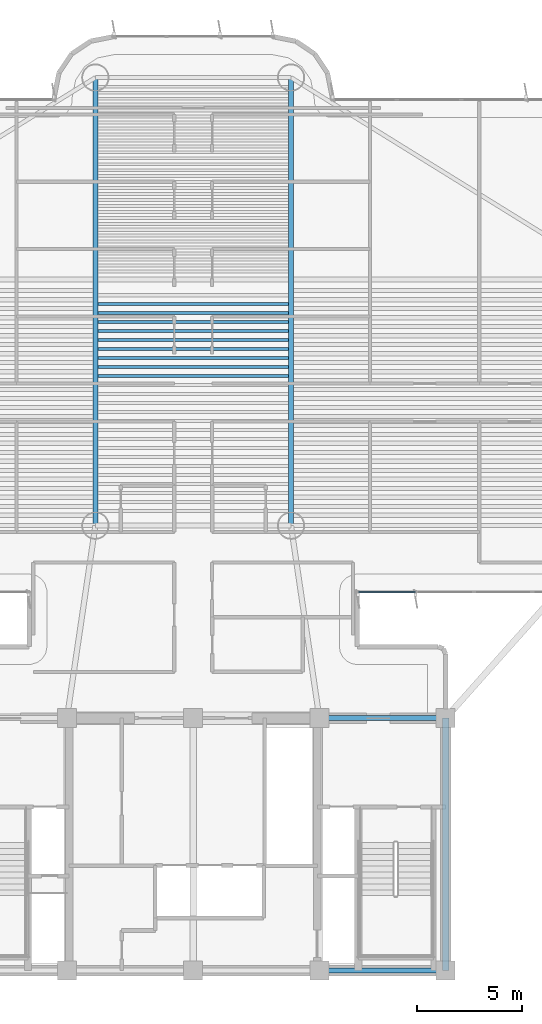
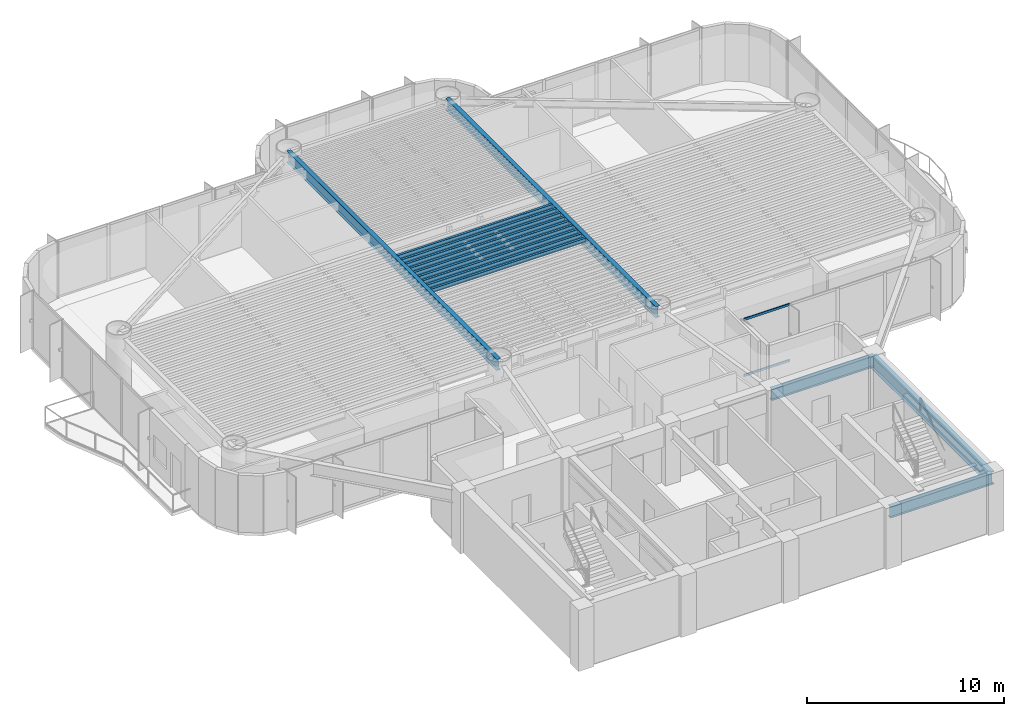
# One storey, part 3 of 16: 14 beams, 2 members, 1 element without a shape of its own.
"""IFC4 building model written with IfcOpenShell, lengths in metres."""

import ifcopenshell
import ifcopenshell.guid

model = None  # the IFC model being written
_history = None  # IfcOwnerHistory: only IFC2X3 demands one
_inside = {}  # id of a spatial element -> (the spatial element, [elements in it])
_under = {}  # id of a project, library or spatial element -> (it, [spatial elements below it])
_declared = {}  # id of a project -> (the project, [libraries it declares])
_typed = {}  # id of a type object -> (the type object, [elements of that type])
_made_of = {}  # id of a material, layer set ... -> (it, [elements and type objects made of it])


def new_model(schema):
    """Start an empty IFC model of exactly this schema.

    Asked for "IFC4X3", IfcOpenShell would pick the latest addendum, in which some entities
    have other attributes; the version numbers below select the first issue.
    IFC2X3 requires an IfcOwnerHistory on every rooted entity: one is made here for all.
    """
    global model, _history
    if schema == "IFC4X3":
        model = ifcopenshell.file(schema_version=(4, 3, 0, 0))
    else:
        model = ifcopenshell.file(schema=schema)
    _inside.clear()
    _under.clear()
    _declared.clear()
    _typed.clear()
    _made_of.clear()
    _history = None
    if model.schema == "IFC2X3":
        org = make("IfcOrganization", Name="unknown")
        user = make(
            "IfcPersonAndOrganization",
            ThePerson=make("IfcPerson", FamilyName="unknown"),
            TheOrganization=org,
        )
        app = make(
            "IfcApplication",
            ApplicationDeveloper=org,
            Version="unknown",
            ApplicationFullName="unknown",
            ApplicationIdentifier="unknown",
        )
        _history = make(
            "IfcOwnerHistory",
            OwningUser=user,
            OwningApplication=app,
            ChangeAction="ADDED",
            CreationDate=0,
        )
    return model


def make(cls, **values):
    """One entity of the class cls with the attributes given. An attribute that is None is left unset."""
    return model.create_entity(
        cls, **{name: value for name, value in values.items() if value is not None}
    )


def rooted(cls, **values):
    """An entity with a GlobalId (a new one), such as an element, a storey or a relation."""
    return make(cls, GlobalId=ifcopenshell.guid.new(), OwnerHistory=_history, **values)


def si_unit(unit_type, name, prefix=None):
    """IfcSIUnit, for example si_unit("LENGTHUNIT", "METRE", prefix="MILLI")."""
    return make("IfcSIUnit", UnitType=unit_type, Prefix=prefix, Name=name)


def assignment(units):
    """IfcUnitAssignment: the units of a project."""
    return None if units is None else make("IfcUnitAssignment", Units=units)


def point(xyz):
    """IfcCartesianPoint."""
    return None if xyz is None else make("IfcCartesianPoint", Coordinates=xyz)


def direction(xyz):
    """IfcDirection."""
    return None if xyz is None else make("IfcDirection", DirectionRatios=xyz)


def frame(location, z_axis=None, x_axis=None):
    """IfcAxis2Placement3D, a coordinate frame: its origin and axes. An axis left out is left unset."""
    return make(
        "IfcAxis2Placement3D",
        Location=point(location),
        Axis=direction(z_axis),
        RefDirection=direction(x_axis),
    )


def frame_2d(location, x_axis=None):
    """IfcAxis2Placement2D, a coordinate frame in the plane: its origin and x axis."""
    return make(
        "IfcAxis2Placement2D", Location=point(location), RefDirection=direction(x_axis)
    )


def origin():
    """The frame at (0, 0, 0) with its axes left unset."""
    return frame((0.0, 0.0, 0.0))


def origin_2d():
    """The frame at (0, 0) in the plane with its x axis left unset."""
    return frame_2d((0.0, 0.0))


def place(relative_to, where):
    """IfcLocalPlacement: puts the frame where relative to a parent placement (None: the world)."""
    return make(
        "IfcLocalPlacement", PlacementRelTo=relative_to, RelativePlacement=where
    )


def context(
    kind, dimensions, precision=None, world=None, true_north=None, identifier=None
):
    """IfcGeometricRepresentationContext, for example the 3D "Model" context."""
    return make(
        "IfcGeometricRepresentationContext",
        ContextIdentifier=identifier,
        ContextType=kind,
        CoordinateSpaceDimension=dimensions,
        Precision=precision,
        WorldCoordinateSystem=world,
        TrueNorth=true_north,
    )


def subcontext(parent, identifier, kind, view, scale=None):
    """IfcGeometricRepresentationSubContext, for example "Body" below "Model"."""
    return make(
        "IfcGeometricRepresentationSubContext",
        ContextIdentifier=identifier,
        ContextType=kind,
        ParentContext=parent,
        TargetScale=scale,
        TargetView=view,
    )


def project(units=None, contexts=None):
    """IfcProject with its units and contexts."""
    return rooted(
        "IfcProject",
        Name="project",
        RepresentationContexts=contexts,
        UnitsInContext=assignment(units),
    )


def spatial(cls, under=None, at=None, **own):
    """A site, building, storey or space (cls), placed at a placement, below another one or the project."""
    s = rooted(cls, ObjectPlacement=at, **own)
    if under is not None:
        _under.setdefault(under.id(), (under, []))[1].append(s)
    return s


def profile(cls, at=None, kind="AREA", **sizes):
    """A parametric profile (cls). Its sizes go by their IFC names, for example OverallWidth=200.0."""
    return make(cls, ProfileType=kind, Position=at, **sizes)


def rectangle(**sizes):
    """IfcRectangleProfileDef."""
    return profile("IfcRectangleProfileDef", **sizes)


def i_section(**sizes):
    """IfcIShapeProfileDef."""
    return profile("IfcIShapeProfileDef", **sizes)


def extrude(swept, where, along, depth):
    """IfcExtrudedAreaSolid: the profile swept, set in the frame where, extruded along a direction by depth."""
    return make(
        "IfcExtrudedAreaSolid",
        SweptArea=swept,
        Position=where,
        ExtrudedDirection=direction(along),
        Depth=depth,
    )


def shape(context_of_items, identifier, shape_type, items):
    """IfcShapeRepresentation: the items that make up one representation, for example the "Body"."""
    return make(
        "IfcShapeRepresentation",
        ContextOfItems=context_of_items,
        RepresentationIdentifier=identifier,
        RepresentationType=shape_type,
        Items=items,
    )


def source(mapping_origin, context_of_items, identifier, shape_type, items):
    """IfcRepresentationMap: a shape defined once, which mapped items show again and again."""
    return make(
        "IfcRepresentationMap",
        MappingOrigin=mapping_origin,
        MappedRepresentation=shape(context_of_items, identifier, shape_type, items),
    )


def transform(
    local_origin,
    x_axis=None,
    y_axis=None,
    z_axis=None,
    scale=None,
    scale2=None,
    scale3=None,
    uniform=True,
):
    """IfcCartesianTransformationOperator3D, or its non-uniform kind. x_axis, y_axis, z_axis: its Axis1, 2, 3."""
    if uniform:
        return make(
            "IfcCartesianTransformationOperator3D",
            Axis1=direction(x_axis),
            Axis2=direction(y_axis),
            LocalOrigin=point(local_origin),
            Scale=scale,
            Axis3=direction(z_axis),
        )
    return make(
        "IfcCartesianTransformationOperator3DnonUniform",
        Axis1=direction(x_axis),
        Axis2=direction(y_axis),
        LocalOrigin=point(local_origin),
        Scale=scale,
        Axis3=direction(z_axis),
        Scale2=scale2,
        Scale3=scale3,
    )


def mapped(mapping_source, mapping_target):
    """IfcMappedItem: shows the shape of a source again, moved by a transform."""
    return make(
        "IfcMappedItem", MappingSource=mapping_source, MappingTarget=mapping_target
    )


def material(Name=None, Category=None):
    """IfcMaterial."""
    return make("IfcMaterial", Name=Name, Category=Category)


def layer(
    of_material, thickness, ventilated=None, Name=None, Category=None, Priority=None
):
    """IfcMaterialLayer: one layer of a wall or slab, of a material (None: an air gap)."""
    return make(
        "IfcMaterialLayer",
        Material=of_material,
        LayerThickness=thickness,
        IsVentilated=ventilated,
        Name=Name,
        Category=Category,
        Priority=Priority,
    )


def layer_set(layers, Name=None):
    """IfcMaterialLayerSet."""
    return make("IfcMaterialLayerSet", MaterialLayers=layers, LayerSetName=Name)


def material_profile(
    of_material, cross_section, Name=None, Category=None, Priority=None
):
    """IfcMaterialProfile: a cross section and its material."""
    return make(
        "IfcMaterialProfile",
        Name=Name,
        Material=of_material,
        Profile=cross_section,
        Priority=Priority,
        Category=Category,
    )


def profile_set(profiles, Name=None, composite=None):
    """IfcMaterialProfileSet."""
    return make(
        "IfcMaterialProfileSet",
        Name=Name,
        MaterialProfiles=profiles,
        CompositeProfile=composite,
    )


def made_of(thing, what):
    """Note that an element or type object is made of a material, layer set ...; save() writes the relation."""
    if what is not None:
        _made_of.setdefault(what.id(), (what, []))[1].append(thing)
    return thing


def type_object(cls, material=None, **own):
    """A type object (cls), such as IfcWallType, which elements share."""
    return made_of(rooted(cls, **own), material)


def element(
    cls,
    number,
    at=None,
    inside=None,
    cuts=None,
    type_object=None,
    material=None,
    context=None,
    identifier="Body",
    shape_type=None,
    held_by="IfcProductDefinitionShape",
    body=None,
    shapes=None,
    **own,
):
    """One element of the class cls, such as IfcWall. Its Tag is "e" and its number.

    at: its placement. inside: the storey or other place that contains it. cuts: it is an
    opening in that element (IfcRelVoidsElement). A single representation is given by context,
    identifier, shape_type and body (its items); several are given by shapes. held_by: the class
    of the entity that holds the representations. save() writes the other relations.
    """
    e = rooted(cls, Tag="e%d" % number, ObjectPlacement=at, **own)
    if body is not None:
        shapes = [shape(context, identifier, shape_type, body)]
    if shapes is not None:
        e.Representation = make(held_by, Representations=shapes)
    if inside is not None:
        _inside.setdefault(inside.id(), (inside, []))[1].append(e)
    if cuts is not None:
        rooted(
            "IfcRelVoidsElement", RelatingBuildingElement=cuts, RelatedOpeningElement=e
        )
    if type_object is not None:
        _typed.setdefault(type_object.id(), (type_object, []))[1].append(e)
    return made_of(e, material)


def aggregate(whole, parts):
    """IfcRelAggregates: a whole, such as a stair, and the parts it consists of."""
    return rooted("IfcRelAggregates", RelatingObject=whole, RelatedObjects=parts)


def save(model, path):
    """Write the relations noted so far, then the file.

    IfcRelAggregates (storeys below a building ...), IfcRelContainedInSpatialStructure (elements
    in a storey), IfcRelDefinesByType, IfcRelAssociatesMaterial and IfcRelDeclares: one each for
    every whole, place, type object, material and project.
    """
    for whole, parts in _under.values():
        aggregate(whole, parts)
    for where, things in _inside.values():
        rooted(
            "IfcRelContainedInSpatialStructure",
            RelatedElements=things,
            RelatingStructure=where,
        )
    for kind, things in _typed.values():
        rooted("IfcRelDefinesByType", RelatedObjects=things, RelatingType=kind)
    for what, things in _made_of.values():
        rooted("IfcRelAssociatesMaterial", RelatedObjects=things, RelatingMaterial=what)
    for by, libraries in _declared.values():
        rooted("IfcRelDeclares", RelatingContext=by, RelatedDefinitions=libraries)
    model.write(path)


model = new_model("IFC4")

# Units and contexts
model_context = context("Model", 3, precision=1e-05, world=origin(), true_north=direction((0.0, 1.0)))
body_context = subcontext(model_context, "Body", "Model", "MODEL_VIEW")
ifc_project = project(units=[si_unit("LENGTHUNIT", "METRE"), si_unit("AREAUNIT", "SQUARE_METRE"), si_unit("VOLUMEUNIT", "CUBIC_METRE"), si_unit("PLANEANGLEUNIT", "RADIAN"), si_unit("MASSUNIT", "GRAM", prefix="KILO")], contexts=[model_context])

# Site, building, storey
site_placement = place(None, origin())
site = spatial("IfcSite", under=ifc_project, at=site_placement, CompositionType="ELEMENT")
building_placement = place(site_placement, origin())
building = spatial("IfcBuilding", under=site, at=building_placement, Name="Brelvock Crest Care Tower", CompositionType="ELEMENT")
storey_placement = place(building_placement, frame((0.0, 0.0, 101.159912109375)))
storey = spatial("IfcBuildingStorey", under=building, at=storey_placement, Name="L25", CompositionType="ELEMENT", Elevation=101.159912109375)

# Beams
ifc_material_1 = material(Name="Steel Grade 350", Category="steel")
ifc_material_profile_1 = material_profile(ifc_material_1, i_section(OverallWidth=0.25, OverallDepth=0.699951171875, WebThickness=0.011962890625, FlangeThickness=0.02001953125, at=origin_2d()), Name="700WB150")
ifc_profile_set_1 = profile_set([ifc_material_profile_1], Name="Steel Grade 350")
beam_type_1 = type_object("IfcBeamType", Name="BM-G4", PredefinedType="BEAM", material=ifc_profile_set_1)
shared_shape_1 = source(origin(), body_context, "Body", "SweptSolid", [
    extrude(i_section(OverallWidth=0.25, OverallDepth=0.699951171875, WebThickness=0.011962890625, FlangeThickness=0.02001953125, at=origin_2d()), origin(), (0.0, 0.0, 1.0), 6.0),
])
for number, where, z_axis, x_axis, name in (
    (1, (42.0, 6.0, 3.18017578125), (1.0, 0.0, 0.0), (0.0, 1.0, 0.0), "BM-CORES-L25-4"),
    (2, (42.0, 18.0, 3.18017578125), (1.0, 0.0, 0.0), (0.0, 1.0, 0.0), "BM-COREN-L25-4"),
):
    element("IfcBeam", number, at=place(storey_placement, frame(where, z_axis=z_axis, x_axis=x_axis)), inside=storey, type_object=beam_type_1, Name=name, PredefinedType="BEAM", context=body_context, shape_type="MappedRepresentation", body=[
        mapped(shared_shape_1, transform((0.0, 0.0, 0.0), x_axis=(1.0, 0.0, 0.0), y_axis=(0.0, 1.0, 0.0), z_axis=(0.0, 0.0, 1.0), scale=1.0)),
    ])
ifc_material_profile_2 = material_profile(ifc_material_1, i_section(OverallWidth=0.300048828125, OverallDepth=0.800048828125, WebThickness=0.013916015625, FlangeThickness=0.02197265625, at=origin_2d()), Name="800WB192")
ifc_profile_set_2 = profile_set([ifc_material_profile_2], Name="Steel Grade 350")
beam_type_2 = type_object("IfcBeamType", Name="BM-G5", PredefinedType="BEAM", material=ifc_profile_set_2)
shared_shape_2 = source(origin(), body_context, "Body", "SweptSolid", [
    extrude(i_section(OverallWidth=0.300048828125, OverallDepth=0.800048828125, WebThickness=0.013916015625, FlangeThickness=0.02197265625, at=origin_2d()), origin(), (0.0, 0.0, 1.0), 12.0),
])
beam_placement = place(storey_placement, frame((48.0, 6.0, 3.130126953125), z_axis=(0.0, 1.0, 0.0), x_axis=(-1.0, 0.0, 0.0)))
element("IfcBeam", 3, at=beam_placement, inside=storey, type_object=beam_type_2, Name="BM-COREX-L25-5", PredefinedType="BEAM", context=body_context, shape_type="MappedRepresentation", body=[
    mapped(shared_shape_2, transform((0.0, 0.0, 0.0), x_axis=(1.0, 0.0, 0.0), y_axis=(0.0, 1.0, 0.0), z_axis=(0.0, 0.0, 1.0), scale=1.0)),
])
ifc_material_profile_3 = material_profile(ifc_material_1, i_section(OverallWidth=0.14599609375, OverallDepth=0.256103515625, WebThickness=0.00634765625, FlangeThickness=0.010986328125, FilletRadius=0.0087890625, at=origin_2d()), Name="250UB37.3")
ifc_profile_set_3 = profile_set([ifc_material_profile_3], Name="Steel Grade 350")
beam_type_3 = type_object("IfcBeamType", Name="BM-J3", PredefinedType="JOIST", material=ifc_profile_set_3)
shared_shape_3 = source(origin(), body_context, "Body", "SweptSolid", [
    extrude(i_section(OverallWidth=0.14599609375, OverallDepth=0.256103515625, WebThickness=0.00634765625, FlangeThickness=0.010986328125, FilletRadius=0.0087890625, at=origin_2d()), origin(), (0.0, 0.0, 1.0), 9.06982421875),
])
for number, where, z_axis, x_axis, name in (
    (4, (31.465087890625, 34.2607421875, 3.402099609375), (1.0, 0.0, 0.0), (0.0, 1.0, 0.0), "BM-JH-L25-16"),
    (5, (31.465087890625, 34.687744140625, 3.402099609375), (1.0, 0.0, 0.0), (0.0, 1.0, 0.0), "BM-JH-L25-17"),
    (6, (31.465087890625, 35.11474609375, 3.402099609375), (1.0, 0.0, 0.0), (0.0, 1.0, 0.0), "BM-JH-L25-18"),
    (7, (31.465087890625, 35.541748046875, 3.402099609375), (1.0, 0.0, 0.0), (0.0, 1.0, 0.0), "BM-JH-L25-19"),
    (8, (31.465087890625, 35.96875, 3.402099609375), (1.0, 0.0, 0.0), (0.0, 1.0, 0.0), "BM-JH-L25-20"),
    (9, (31.465087890625, 36.39599609375, 3.402099609375), (1.0, 0.0, 0.0), (0.0, 1.0, 0.0), "BM-JH-L25-21"),
    (10, (31.465087890625, 36.822998046875, 3.402099609375), (1.0, 0.0, 0.0), (0.0, 1.0, 0.0), "BM-JH-L25-22"),
    (11, (31.465087890625, 37.25, 3.402099609375), (1.0, 0.0, 0.0), (0.0, 1.0, 0.0), "BM-JH-L25-23"),
    (12, (31.465087890625, 37.677001953125, 3.402099609375), (1.0, 0.0, 0.0), (0.0, 1.0, 0.0), "BM-JH-L25-24"),
):
    element("IfcBeam", number, at=place(storey_placement, frame(where, z_axis=z_axis, x_axis=x_axis)), inside=storey, type_object=beam_type_3, Name=name, PredefinedType="JOIST", context=body_context, shape_type="MappedRepresentation", body=[
        mapped(shared_shape_3, transform((0.0, 0.0, 0.0), x_axis=(1.0, 0.0, 0.0), y_axis=(0.0, 1.0, 0.0), z_axis=(0.0, 0.0, 1.0), scale=1.0)),
    ])
shared_shape_4 = source(origin(), body_context, "Body", "SweptSolid", [
    extrude(i_section(OverallWidth=0.25, OverallDepth=0.699951171875, WebThickness=0.011962890625, FlangeThickness=0.02001953125, at=origin_2d()), origin(), (0.0, 0.0, 1.0), 21.300048828125),
])
for number, where, z_axis, x_axis, name in (
    (13, (31.35009765625, 27.14990234375, 3.18017578125), (0.0, 1.0, 0.0), (-1.0, 0.0, 0.0), "BM-TWR-L25-09"),
    (14, (40.64990234375, 27.14990234375, 3.18017578125), (0.0, 1.0, 0.0), (-1.0, 0.0, 0.0), "BM-TWR-L25-10"),
):
    element("IfcBeam", number, at=place(storey_placement, frame(where, z_axis=z_axis, x_axis=x_axis)), inside=storey, type_object=beam_type_1, Name=name, PredefinedType="BEAM", context=body_context, shape_type="MappedRepresentation", body=[
        mapped(shared_shape_4, transform((0.0, 0.0, 0.0), x_axis=(1.0, 0.0, 0.0), y_axis=(0.0, 1.0, 0.0), z_axis=(0.0, 0.0, 1.0), scale=1.0)),
    ])

# Curtain wall, members
ifc_material_2 = material(Name="Dark Glass Double Glazed Low-E", Category="glass")
ifc_layer = layer(ifc_material_2, 0.2099609375, Name="CWS-3")
ifc_layer_set = layer_set([ifc_layer], Name="Dark Glass Double Glazed Low-E")
curtain_wall_type = type_object("IfcCurtainWallType", Name="CWS-3", PredefinedType="NOTDEFINED", material=ifc_layer_set)
curtain_wall_placement = place(storey_placement, origin())
curtain_wall = element("IfcCurtainWall", 15, at=curtain_wall_placement, inside=storey, type_object=curtain_wall_type, Name="L25 Curtain Wall E44", PredefinedType="NOTDEFINED")
ifc_material_3 = material(Name="Aluminium 6063-T6", Category="aluminium")
ifc_material_profile_4 = material_profile(ifc_material_3, rectangle(XDim=0.06005859375, YDim=0.139892578125, at=origin_2d()), Name="ALU60x140")
ifc_profile_set_4 = profile_set([ifc_material_profile_4], Name="Aluminium 6063-T6")
member_type = type_object("IfcMemberType", Name="CWT-2", PredefinedType="USERDEFINED", material=ifc_profile_set_4)
shared_shape_5 = source(origin(), body_context, "Body", "SweptSolid", [
    extrude(rectangle(XDim=0.06005859375, YDim=0.139892578125, at=origin_2d()), origin(), (0.0, 0.0, 1.0), 2.684814453125),
])
member_1_placement = place(storey_placement, frame((46.544921875, 24.0, 0.030029296875), z_axis=(-1.0, 0.0, 0.0), x_axis=(0.0, -1.0, 0.0)))
member_1 = element("IfcMember", 16, at=member_1_placement, type_object=member_type, Name="CW-3 transom 4.1", ObjectType="TRANSOM", PredefinedType="USERDEFINED", context=body_context, shape_type="MappedRepresentation", body=[
    mapped(shared_shape_5, transform((0.0, 0.0, 0.0), x_axis=(1.0, 0.0, 0.0), y_axis=(0.0, 1.0, 0.0), z_axis=(0.0, 0.0, 1.0), scale=1.0)),
])
member_2_placement = place(storey_placement, frame((46.544921875, 24.0, 3.5), z_axis=(-1.0, 0.0, 0.0), x_axis=(0.0, -1.0, 0.0)))
member_2 = element("IfcMember", 17, at=member_2_placement, type_object=member_type, Name="CW-3 transom 4.2", ObjectType="TRANSOM", PredefinedType="USERDEFINED", context=body_context, shape_type="MappedRepresentation", body=[
    mapped(shared_shape_5, transform((0.0, 0.0, 0.0), x_axis=(1.0, 0.0, 0.0), y_axis=(0.0, 1.0, 0.0), z_axis=(0.0, 0.0, 1.0), scale=1.0)),
])
aggregate(curtain_wall, [member_1, member_2])

save(model, "model.ifc")
